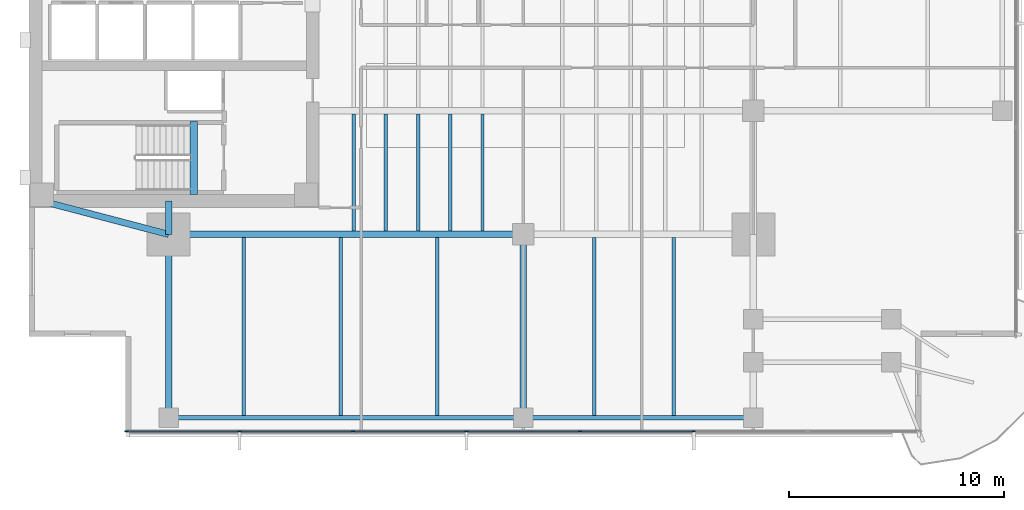
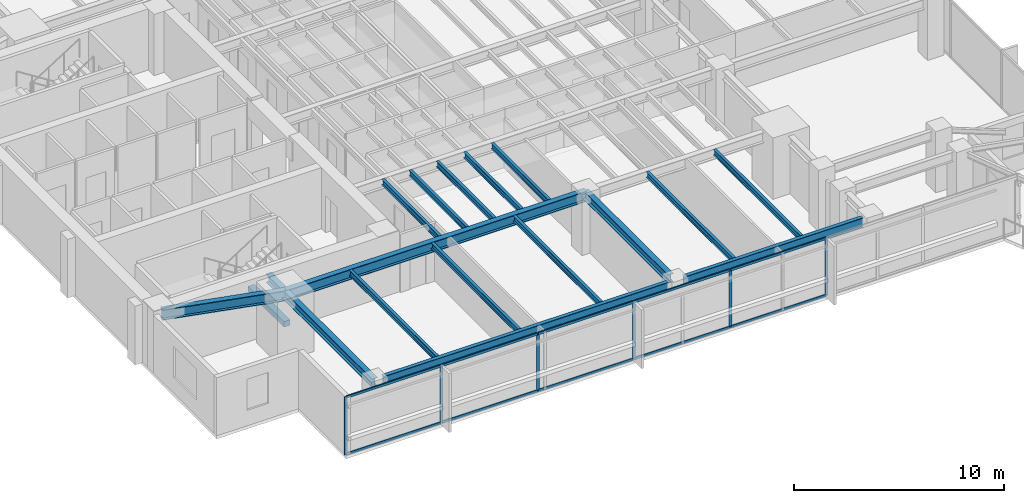
# One storey, part 2 of 15: 18 beams, 16 members, 1 element without a shape of its own.
"""IFC4 building model written with IfcOpenShell, lengths in metres."""

from ifc_helpers import new_model, si_unit, direction, frame, origin, origin_2d, place, context, subcontext, project, spatial, rectangle, i_section, extrude, material, layer, layer_set, material_profile, profile_set, type_object, element, aggregate, save


model = new_model("IFC4")

# Units and contexts
model_context = context("Model", 3, precision=1e-05, world=origin(), true_north=direction((0.0, 1.0)))
body_context = subcontext(model_context, "Body", "Model", "MODEL_VIEW")
ifc_project = project(units=[si_unit("LENGTHUNIT", "METRE"), si_unit("AREAUNIT", "SQUARE_METRE"), si_unit("VOLUMEUNIT", "CUBIC_METRE"), si_unit("PLANEANGLEUNIT", "RADIAN"), si_unit("MASSUNIT", "GRAM", prefix="KILO")], contexts=[model_context])

# Site, building, storey
site_placement = place(None, origin())
site = spatial("IfcSite", under=ifc_project, at=site_placement, CompositionType="ELEMENT")
building_placement = place(site_placement, origin())
building = spatial("IfcBuilding", under=site, at=building_placement, Name="Kinhvarn Gate Tower", CompositionType="ELEMENT")
storey_placement = place(building_placement, frame((0.0, 0.0, 105.800048828125)))
storey = spatial("IfcBuildingStorey", under=building, at=storey_placement, Name="L27", CompositionType="ELEMENT", Elevation=105.800048828125)

# Beam
ifc_material_1 = material(Name="Concrete C50/60", Category="concrete")
ifc_material_profile_1 = material_profile(ifc_material_1, rectangle(XDim=0.340087890625, YDim=0.320068359375, at=origin_2d()), Name="RC 340x320")
ifc_profile_set_1 = profile_set([ifc_material_profile_1], Name="Concrete C50/60")
beam_type_1 = type_object("IfcBeamType", Name="BM-LND-500", PredefinedType="BEAM", material=ifc_profile_set_1)
beam_1_placement = place(storey_placement, frame((12.1650390625, 14.60009765625, -0.16015625), z_axis=(0.0, 1.0, 0.0), x_axis=(-1.0, 0.0, 0.0)))
element("IfcBeam", 1, at=beam_1_placement, inside=storey, type_object=beam_type_1, Name="Stair ST1 Landing Nosing Beam (L27)", PredefinedType="BEAM", context=body_context, shape_type="SweptSolid", body=[
    extrude(rectangle(XDim=0.340087890625, YDim=0.320068359375, at=origin_2d()), origin(), (0.0, 0.0, 1.0), 3.39990234375),
])

# Curtain wall, members
ifc_material_2 = material(Name="Anodised aluminium AW-6063", Category="aluminium")
ifc_layer = layer(ifc_material_2, 0.179931640625)
ifc_layer_set = layer_set([ifc_layer], Name="Anodised aluminium AW-6063")
curtain_wall_type = type_object("IfcCurtainWallType", Name="CW-SYS-3", PredefinedType="NOTDEFINED", material=ifc_layer_set)
curtain_wall_placement = place(storey_placement, origin())
curtain_wall = element("IfcCurtainWall", 2, at=curtain_wall_placement, inside=storey, type_object=curtain_wall_type, Name="Curtain Wall CW3 (L27)", PredefinedType="NOTDEFINED")
ifc_material_profile_2 = material_profile(ifc_material_2, rectangle(XDim=0.06494140625, YDim=0.159912109375, at=origin_2d()), Name="ALU 65x160")
ifc_profile_set_2 = profile_set([ifc_material_profile_2], Name="Anodised aluminium AW-6063")
member_type_1 = type_object("IfcMemberType", Name="CW-MUL-160", PredefinedType="MULLION", material=ifc_profile_set_2)
member_1_placement = place(storey_placement, frame((9.032470703125, 3.590087890625, 0.0), z_axis=(0.0, 0.0, 1.0), x_axis=(0.0, 1.0, 0.0)))
member_1 = element("IfcMember", 3, at=member_1_placement, type_object=member_type_1, Name="CW3 mullion 1", PredefinedType="MULLION", context=body_context, shape_type="SweptSolid", body=[
    extrude(rectangle(XDim=0.06494140625, YDim=0.159912109375, at=origin_2d()), origin(), (0.0, 0.0, 1.0), 3.369873046875),
])
member_2_placement = place(storey_placement, frame((14.28564453125, 3.590087890625, 0.0), z_axis=(0.0, 0.0, 1.0), x_axis=(0.0, 1.0, 0.0)))
member_2 = element("IfcMember", 4, at=member_2_placement, type_object=member_type_1, Name="CW3 mullion 2", PredefinedType="MULLION", context=body_context, shape_type="SweptSolid", body=[
    extrude(rectangle(XDim=0.06494140625, YDim=0.159912109375, at=origin_2d()), origin(), (0.0, 0.0, 1.0), 3.369873046875),
])
member_3_placement = place(storey_placement, frame((19.571533203125, 3.590087890625, 0.0), z_axis=(0.0, 0.0, 1.0), x_axis=(0.0, 1.0, 0.0)))
member_3 = element("IfcMember", 5, at=member_3_placement, type_object=member_type_1, Name="CW3 mullion 3", PredefinedType="MULLION", context=body_context, shape_type="SweptSolid", body=[
    extrude(rectangle(XDim=0.06494140625, YDim=0.159912109375, at=origin_2d()), origin(), (0.0, 0.0, 1.0), 3.369873046875),
])
member_4_placement = place(storey_placement, frame((24.857177734375, 3.590087890625, 0.0), z_axis=(0.0, 0.0, 1.0), x_axis=(0.0, 1.0, 0.0)))
member_4 = element("IfcMember", 6, at=member_4_placement, type_object=member_type_1, Name="CW3 mullion 4", PredefinedType="MULLION", context=body_context, shape_type="SweptSolid", body=[
    extrude(rectangle(XDim=0.06494140625, YDim=0.159912109375, at=origin_2d()), origin(), (0.0, 0.0, 1.0), 3.369873046875),
])
member_5_placement = place(storey_placement, frame((30.142822265625, 3.590087890625, 0.0), z_axis=(0.0, 0.0, 1.0), x_axis=(0.0, 1.0, 0.0)))
member_5 = element("IfcMember", 7, at=member_5_placement, type_object=member_type_1, Name="CW3 mullion 5", PredefinedType="MULLION", context=body_context, shape_type="SweptSolid", body=[
    extrude(rectangle(XDim=0.06494140625, YDim=0.159912109375, at=origin_2d()), origin(), (0.0, 0.0, 1.0), 3.369873046875),
])
member_6_placement = place(storey_placement, frame((35.428466796875, 3.590087890625, 0.0), z_axis=(0.0, 0.0, 1.0), x_axis=(0.0, 1.0, 0.0)))
member_6 = element("IfcMember", 8, at=member_6_placement, type_object=member_type_1, Name="CW3 mullion 6", PredefinedType="MULLION", context=body_context, shape_type="SweptSolid", body=[
    extrude(rectangle(XDim=0.06494140625, YDim=0.159912109375, at=origin_2d()), origin(), (0.0, 0.0, 1.0), 3.369873046875),
])
ifc_material_profile_3 = material_profile(ifc_material_2, rectangle(XDim=0.070068359375, YDim=0.139892578125, at=origin_2d()), Name="ALU 70x140")
ifc_profile_set_3 = profile_set([ifc_material_profile_3], Name="Anodised aluminium AW-6063")
member_type_2 = type_object("IfcMemberType", Name="CW-TRN-140", PredefinedType="USERDEFINED", material=ifc_profile_set_3)
member_7_placement = place(storey_placement, frame((9.06494140625, 3.590087890625, 0.034912109375), z_axis=(1.0, 0.0, 0.0), x_axis=(0.0, 1.0, 0.0)))
member_7 = element("IfcMember", 9, at=member_7_placement, type_object=member_type_2, Name="CW3 transom 1.1", ObjectType="TRANSOM", PredefinedType="USERDEFINED", context=body_context, shape_type="SweptSolid", body=[
    extrude(rectangle(XDim=0.070068359375, YDim=0.139892578125, at=origin_2d()), origin(), (0.0, 0.0, 1.0), 5.188232421875),
])
member_8_placement = place(storey_placement, frame((9.06494140625, 3.590087890625, 3.3349609375), z_axis=(1.0, 0.0, 0.0), x_axis=(0.0, 1.0, 0.0)))
member_8 = element("IfcMember", 10, at=member_8_placement, type_object=member_type_2, Name="CW3 transom 1.2", ObjectType="TRANSOM", PredefinedType="USERDEFINED", context=body_context, shape_type="SweptSolid", body=[
    extrude(rectangle(XDim=0.070068359375, YDim=0.139892578125, at=origin_2d()), origin(), (0.0, 0.0, 1.0), 5.188232421875),
])
member_9_placement = place(storey_placement, frame((14.318115234375, 3.590087890625, 0.034912109375), z_axis=(1.0, 0.0, 0.0), x_axis=(0.0, 1.0, 0.0)))
member_9 = element("IfcMember", 11, at=member_9_placement, type_object=member_type_2, Name="CW3 transom 2.1", ObjectType="TRANSOM", PredefinedType="USERDEFINED", context=body_context, shape_type="SweptSolid", body=[
    extrude(rectangle(XDim=0.070068359375, YDim=0.139892578125, at=origin_2d()), origin(), (0.0, 0.0, 1.0), 5.220703125),
])
member_10_placement = place(storey_placement, frame((14.318115234375, 3.590087890625, 3.3349609375), z_axis=(1.0, 0.0, 0.0), x_axis=(0.0, 1.0, 0.0)))
member_10 = element("IfcMember", 12, at=member_10_placement, type_object=member_type_2, Name="CW3 transom 2.2", ObjectType="TRANSOM", PredefinedType="USERDEFINED", context=body_context, shape_type="SweptSolid", body=[
    extrude(rectangle(XDim=0.070068359375, YDim=0.139892578125, at=origin_2d()), origin(), (0.0, 0.0, 1.0), 5.220703125),
])
member_11_placement = place(storey_placement, frame((19.60400390625, 3.590087890625, 0.034912109375), z_axis=(1.0, 0.0, 0.0), x_axis=(0.0, 1.0, 0.0)))
member_11 = element("IfcMember", 13, at=member_11_placement, type_object=member_type_2, Name="CW3 transom 3.1", ObjectType="TRANSOM", PredefinedType="USERDEFINED", context=body_context, shape_type="SweptSolid", body=[
    extrude(rectangle(XDim=0.070068359375, YDim=0.139892578125, at=origin_2d()), origin(), (0.0, 0.0, 1.0), 5.220703125),
])
member_12_placement = place(storey_placement, frame((19.60400390625, 3.590087890625, 3.3349609375), z_axis=(1.0, 0.0, 0.0), x_axis=(0.0, 1.0, 0.0)))
member_12 = element("IfcMember", 14, at=member_12_placement, type_object=member_type_2, Name="CW3 transom 3.2", ObjectType="TRANSOM", PredefinedType="USERDEFINED", context=body_context, shape_type="SweptSolid", body=[
    extrude(rectangle(XDim=0.070068359375, YDim=0.139892578125, at=origin_2d()), origin(), (0.0, 0.0, 1.0), 5.220703125),
])
member_13_placement = place(storey_placement, frame((24.8896484375, 3.590087890625, 0.034912109375), z_axis=(1.0, 0.0, 0.0), x_axis=(0.0, 1.0, 0.0)))
member_13 = element("IfcMember", 15, at=member_13_placement, type_object=member_type_2, Name="CW3 transom 4.1", ObjectType="TRANSOM", PredefinedType="USERDEFINED", context=body_context, shape_type="SweptSolid", body=[
    extrude(rectangle(XDim=0.070068359375, YDim=0.139892578125, at=origin_2d()), origin(), (0.0, 0.0, 1.0), 5.220703125),
])
member_14_placement = place(storey_placement, frame((24.8896484375, 3.590087890625, 3.3349609375), z_axis=(1.0, 0.0, 0.0), x_axis=(0.0, 1.0, 0.0)))
member_14 = element("IfcMember", 16, at=member_14_placement, type_object=member_type_2, Name="CW3 transom 4.2", ObjectType="TRANSOM", PredefinedType="USERDEFINED", context=body_context, shape_type="SweptSolid", body=[
    extrude(rectangle(XDim=0.070068359375, YDim=0.139892578125, at=origin_2d()), origin(), (0.0, 0.0, 1.0), 5.220703125),
])
member_15_placement = place(storey_placement, frame((30.17529296875, 3.590087890625, 0.034912109375), z_axis=(1.0, 0.0, 0.0), x_axis=(0.0, 1.0, 0.0)))
member_15 = element("IfcMember", 17, at=member_15_placement, type_object=member_type_2, Name="CW3 transom 5.1", ObjectType="TRANSOM", PredefinedType="USERDEFINED", context=body_context, shape_type="SweptSolid", body=[
    extrude(rectangle(XDim=0.070068359375, YDim=0.139892578125, at=origin_2d()), origin(), (0.0, 0.0, 1.0), 5.220703125),
])
member_16_placement = place(storey_placement, frame((30.17529296875, 3.590087890625, 3.3349609375), z_axis=(1.0, 0.0, 0.0), x_axis=(0.0, 1.0, 0.0)))
member_16 = element("IfcMember", 18, at=member_16_placement, type_object=member_type_2, Name="CW3 transom 5.2", ObjectType="TRANSOM", PredefinedType="USERDEFINED", context=body_context, shape_type="SweptSolid", body=[
    extrude(rectangle(XDim=0.070068359375, YDim=0.139892578125, at=origin_2d()), origin(), (0.0, 0.0, 1.0), 5.220703125),
])
aggregate(curtain_wall, [member_1, member_2, member_3, member_4, member_5, member_6, member_7, member_8, member_9, member_10, member_11, member_12, member_13, member_14, member_15, member_16])

# Beams
ifc_material_3 = material(Name="Steel S355", Category="steel")
ifc_material_profile_4 = material_profile(ifc_material_3, i_section(OverallWidth=0.300048828125, OverallDepth=0.5, WebThickness=0.014404296875, FlangeThickness=0.028076171875, at=origin_2d()), Name="HEB 500")
ifc_profile_set_4 = profile_set([ifc_material_profile_4], Name="Steel S355")
beam_type_2 = type_object("IfcBeamType", Name="STL-HEB500", PredefinedType="BEAM", material=ifc_profile_set_4)
beam_2_placement = place(storey_placement, frame((11.0, 4.219970703125, 3.119873046875), z_axis=(0.0, 1.0, 0.0), x_axis=(-1.0, 0.0, 0.0)))
element("IfcBeam", 19, at=beam_2_placement, inside=storey, type_object=beam_type_2, Name="Floor Beam PG-14 (L27 MCW-S)", PredefinedType="BEAM", context=body_context, shape_type="SweptSolid", body=[
    extrude(i_section(OverallWidth=0.300048828125, OverallDepth=0.5, WebThickness=0.014404296875, FlangeThickness=0.028076171875, at=origin_2d()), origin(), (0.0, 0.0, 1.0), 8.530029296875),
])
beam_3_placement = place(storey_placement, frame((11.0, 12.75, 3.119873046875), z_axis=(0.0, 1.0, 0.0), x_axis=(-1.0, 0.0, 0.0)))
element("IfcBeam", 20, at=beam_3_placement, inside=storey, type_object=beam_type_2, Name="Floor Beam PG-14 (L27 MCW-CS)", PredefinedType="BEAM", context=body_context, shape_type="SweptSolid", body=[
    extrude(i_section(OverallWidth=0.300048828125, OverallDepth=0.5, WebThickness=0.014404296875, FlangeThickness=0.028076171875, at=origin_2d()), origin(), (0.0, 0.0, 1.0), 1.550048828125),
])
beam_4_placement = place(storey_placement, frame((27.5, 4.655029296875, 3.119873046875), z_axis=(0.0, 1.0, 0.0), x_axis=(-1.0, 0.0, 0.0)))
element("IfcBeam", 21, at=beam_4_placement, inside=storey, type_object=beam_type_2, Name="Floor Beam PG-14 (L27 SP27-S-TIE)", PredefinedType="BEAM", context=body_context, shape_type="SweptSolid", body=[
    extrude(i_section(OverallWidth=0.300048828125, OverallDepth=0.5, WebThickness=0.014404296875, FlangeThickness=0.028076171875, at=origin_2d()), origin(), (0.0, 0.0, 1.0), 8.094970703125),
])
ifc_material_profile_5 = material_profile(ifc_material_3, i_section(OverallWidth=0.300048828125, OverallDepth=0.60009765625, WebThickness=0.015380859375, FlangeThickness=0.030029296875, at=origin_2d()), Name="HEB 600")
ifc_profile_set_5 = profile_set([ifc_material_profile_5], Name="Steel S355")
beam_type_3 = type_object("IfcBeamType", Name="STL-HEB600", PredefinedType="BEAM", material=ifc_profile_set_5)
beam_5_placement = place(storey_placement, frame((11.0, 12.75, 3.070068359375), z_axis=(1.0, 0.0, 0.0), x_axis=(0.0, 1.0, 0.0)))
element("IfcBeam", 22, at=beam_5_placement, inside=storey, type_object=beam_type_3, Name="Floor Beam PG-16 (L27 MG-S1)", PredefinedType="BEAM", context=body_context, shape_type="SweptSolid", body=[
    extrude(i_section(OverallWidth=0.300048828125, OverallDepth=0.60009765625, WebThickness=0.015380859375, FlangeThickness=0.030029296875, at=origin_2d()), origin(), (0.0, 0.0, 1.0), 16.5),
])
beam_6_placement = place(storey_placement, frame((5.10009765625, 14.300048828125, 3.070068359375), z_axis=(0.967177623957, -0.254101246979, 0.0), x_axis=(0.254101246979, 0.967177623957, 0.0)))
element("IfcBeam", 23, at=beam_6_placement, inside=storey, type_object=beam_type_3, Name="Floor Beam PG-16 (L27 MG-SW-DIAG)", PredefinedType="BEAM", context=body_context, shape_type="SweptSolid", body=[
    extrude(i_section(OverallWidth=0.300048828125, OverallDepth=0.60009765625, WebThickness=0.015380859375, FlangeThickness=0.030029296875, at=origin_2d()), origin(), (0.0, 0.0, 1.0), 6.10009765625),
])
ifc_material_profile_6 = material_profile(ifc_material_3, i_section(OverallWidth=0.159912109375, OverallDepth=0.330078125, WebThickness=0.007568359375, FlangeThickness=0.011474609375, at=origin_2d()), Name="IPE 330")
ifc_profile_set_6 = profile_set([ifc_material_profile_6], Name="Steel S355")
beam_type_4 = type_object("IfcBeamType", Name="STL-IPE330", PredefinedType="JOIST", material=ifc_profile_set_6)
for number, where, z_axis, x_axis, name in (
    (24, (19.60009765625, 12.89990234375, 3.204833984375), (0.0, 1.0, 0.0), (-1.0, 0.0, 0.0), "Floor Joist SB-03 (L27 JC-X196-0)"),
    (25, (21.10009765625, 12.89990234375, 3.204833984375), (0.0, 1.0, 0.0), (-1.0, 0.0, 0.0), "Floor Joist SB-03 (L27 JC-X211-0)"),
    (26, (22.60009765625, 12.89990234375, 3.204833984375), (0.0, 1.0, 0.0), (-1.0, 0.0, 0.0), "Floor Joist SB-03 (L27 JC-X226-0)"),
    (27, (24.10009765625, 12.89990234375, 3.204833984375), (0.0, 1.0, 0.0), (-1.0, 0.0, 0.0), "Floor Joist SB-03 (L27 JC-X241-0)"),
    (28, (25.60009765625, 12.89990234375, 3.204833984375), (0.0, 1.0, 0.0), (-1.0, 0.0, 0.0), "Floor Joist SB-03 (L27 JC-X256-0)"),
):
    element("IfcBeam", number, at=place(storey_placement, frame(where, z_axis=z_axis, x_axis=x_axis)), inside=storey, type_object=beam_type_4, Name=name, PredefinedType="JOIST", context=body_context, shape_type="SweptSolid", body=[
        extrude(i_section(OverallWidth=0.159912109375, OverallDepth=0.330078125, WebThickness=0.007568359375, FlangeThickness=0.011474609375, at=origin_2d()), origin(), (0.0, 0.0, 1.0), 5.4501953125),
    ])
for number, where, z_axis, x_axis, name in (
    (29, (14.5, 4.324951171875, 3.204833984375), (0.0, 1.0, 0.0), (-1.0, 0.0, 0.0), "Floor Joist SB-03 (L27 JS-X145)"),
    (30, (19.0, 4.324951171875, 3.204833984375), (0.0, 1.0, 0.0), (-1.0, 0.0, 0.0), "Floor Joist SB-03 (L27 JS-X190)"),
    (31, (23.5, 4.324951171875, 3.204833984375), (0.0, 1.0, 0.0), (-1.0, 0.0, 0.0), "Floor Joist SB-03 (L27 JS-X235)"),
    (32, (30.800048828125, 4.324951171875, 3.204833984375), (0.0, 1.0, 0.0), (-1.0, 0.0, 0.0), "Floor Joist SB-03 (L27 JS-X308)"),
    (33, (34.5, 4.324951171875, 3.204833984375), (0.0, 1.0, 0.0), (-1.0, 0.0, 0.0), "Floor Joist SB-03 (L27 JS-X345)"),
):
    element("IfcBeam", number, at=place(storey_placement, frame(where, z_axis=z_axis, x_axis=x_axis)), inside=storey, type_object=beam_type_4, Name=name, PredefinedType="JOIST", context=body_context, shape_type="SweptSolid", body=[
        extrude(i_section(OverallWidth=0.159912109375, OverallDepth=0.330078125, WebThickness=0.007568359375, FlangeThickness=0.011474609375, at=origin_2d()), origin(), (0.0, 0.0, 1.0), 8.275146484375),
    ])
ifc_material_profile_7 = material_profile(ifc_material_3, i_section(OverallWidth=0.2099609375, OverallDepth=0.550048828125, WebThickness=0.010986328125, FlangeThickness=0.01708984375, at=origin_2d()), Name="IPE 550")
ifc_profile_set_7 = profile_set([ifc_material_profile_7], Name="Steel S355")
beam_type_5 = type_object("IfcBeamType", Name="STL-IPE550", PredefinedType="SPANDREL", material=ifc_profile_set_7)
beam_7_placement = place(storey_placement, frame((11.43505859375, 4.219970703125, 3.094970703125), z_axis=(1.0, 0.0, 0.0), x_axis=(0.0, 1.0, 0.0)))
element("IfcBeam", 34, at=beam_7_placement, inside=storey, type_object=beam_type_5, Name="Floor Spandrel SB-08 (L27 SP-S1)", PredefinedType="SPANDREL", context=body_context, shape_type="SweptSolid", body=[
    extrude(i_section(OverallWidth=0.2099609375, OverallDepth=0.550048828125, WebThickness=0.010986328125, FlangeThickness=0.01708984375, at=origin_2d()), origin(), (0.0, 0.0, 1.0), 15.6298828125),
])
beam_8_placement = place(storey_placement, frame((27.93505859375, 4.219970703125, 3.094970703125), z_axis=(1.0, 0.0, 0.0), x_axis=(0.0, 1.0, 0.0)))
element("IfcBeam", 35, at=beam_8_placement, inside=storey, type_object=beam_type_5, Name="Floor Spandrel SB-08 (L27 SP-S2)", PredefinedType="SPANDREL", context=body_context, shape_type="SweptSolid", body=[
    extrude(i_section(OverallWidth=0.2099609375, OverallDepth=0.550048828125, WebThickness=0.010986328125, FlangeThickness=0.01708984375, at=origin_2d()), origin(), (0.0, 0.0, 1.0), 9.829833984375),
])

save(model, "model.ifc")
